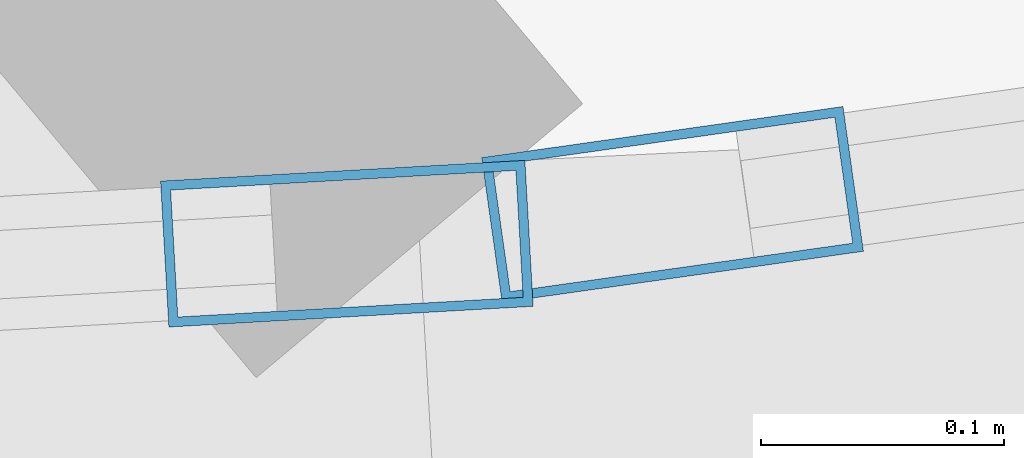
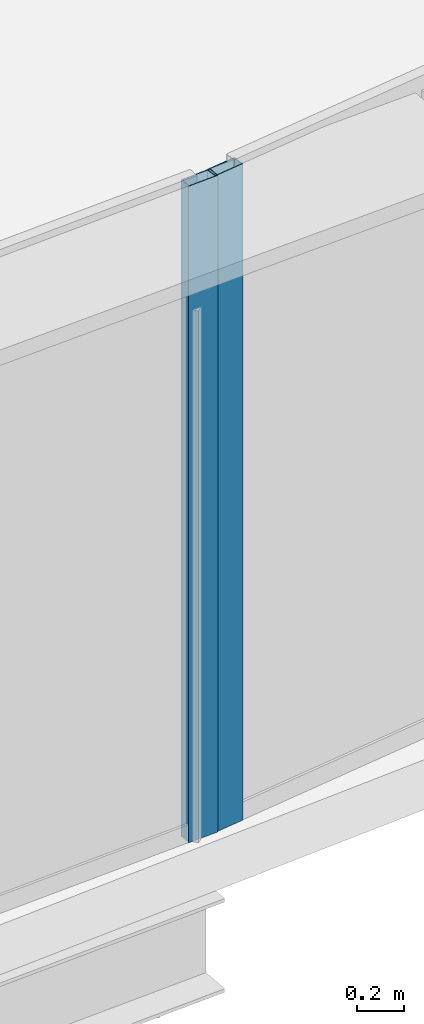
# One storey, part 14 of 42: 2 members, 2 elements without a shape of their own.
"""IFC4 building model written with IfcOpenShell, lengths in metres."""

from ifc_helpers import new_model, si_unit, direction, frame, origin, origin_2d, place, context, subcontext, project, spatial, hollow_rectangle, extrude, source, transform, mapped, material, layer, layer_set, material_profile, profile_set, type_object, element, aggregate, save


model = new_model("IFC4")

# Units and contexts
model_context = context("Model", 3, precision=1e-05, world=origin(), true_north=direction((0.0, 1.0)))
body_context = subcontext(model_context, "Body", "Model", "MODEL_VIEW")
ifc_project = project(units=[si_unit("LENGTHUNIT", "METRE"), si_unit("AREAUNIT", "SQUARE_METRE"), si_unit("VOLUMEUNIT", "CUBIC_METRE"), si_unit("PLANEANGLEUNIT", "RADIAN"), si_unit("MASSUNIT", "GRAM", prefix="KILO"), si_unit("THERMODYNAMICTEMPERATUREUNIT", "KELVIN"), si_unit("POWERUNIT", "WATT")], contexts=[model_context])

# Site, building, storey
site_placement = place(None, origin())
site = spatial("IfcSite", under=ifc_project, at=site_placement, CompositionType="ELEMENT")
building_placement = place(site_placement, origin())
building = spatial("IfcBuilding", under=site, at=building_placement, Name="Yunzhuo Pagoda Commons", CompositionType="ELEMENT")
storey_placement = place(building_placement, frame((0.0, 0.0, 137.18994140625)))
storey = spatial("IfcBuildingStorey", under=building, at=storey_placement, Name="L34", CompositionType="ELEMENT", Elevation=137.18994140625)

# Curtain wall, member
ifc_material = material(Name="Anodized aluminium 6063-T6", Category="aluminium")
ifc_layer = layer(ifc_material, 0.14990234375)
ifc_layer_set = layer_set([ifc_layer], Name="Anodized aluminium 6063-T6")
curtain_wall_type = type_object("IfcCurtainWallType", Name="CW-MID Mid-Zone Ribbon Curtain Wall", PredefinedType="NOTDEFINED", material=ifc_layer_set)
curtain_wall_1_placement = place(storey_placement, origin())
curtain_wall_1 = element("IfcCurtainWall", 1, at=curtain_wall_1_placement, inside=storey, type_object=curtain_wall_type, Name="L34 curtain wall CW-L34-F1B4", PredefinedType="NOTDEFINED")
ifc_material_profile = material_profile(ifc_material, hollow_rectangle(XDim=0.06005859375, YDim=0.14990234375, WallThickness=0.00390625, at=origin_2d()), Name="Anodized aluminium 6063-T6")
ifc_profile_set = profile_set([ifc_material_profile], Name="Anodized aluminium 6063-T6")
member_type = type_object("IfcMemberType", Name="CW-MID-M Mullion RHS 150x60x4", PredefinedType="MULLION", material=ifc_profile_set)
shared_shape = source(origin(), body_context, "Body", "SweptSolid", [
    extrude(hollow_rectangle(XDim=0.06005859375, YDim=0.14990234375, WallThickness=0.00390625, at=origin_2d()), origin(), (0.0, 0.0, 1.0), 3.420166015625),
])
member_1_placement = place(storey_placement, frame((64.868408203125, 13.56005859375, 0.0), z_axis=(0.0, 0.0, 1.0), x_axis=(-0.056741862165, 0.99838888269, 0.0)))
member_1 = element("IfcMember", 2, at=member_1_placement, type_object=member_type, Name="CW mullion 2", PredefinedType="MULLION", context=body_context, shape_type="MappedRepresentation", body=[
    mapped(shared_shape, transform((0.0, 0.0, 0.0), scale=1.0)),
])
aggregate(curtain_wall_1, [member_1])

curtain_wall_2_placement = place(storey_placement, origin())
curtain_wall_2 = element("IfcCurtainWall", 3, at=curtain_wall_2_placement, inside=storey, type_object=curtain_wall_type, Name="L34 curtain wall CW-L34-F1B5", PredefinedType="NOTDEFINED")
member_2_placement = place(storey_placement, frame((65.002197265625, 13.576171875, 0.0), z_axis=(0.0, 0.0, 1.0), x_axis=(-0.140026939768, 0.990147694104, 0.0)))
member_2 = element("IfcMember", 4, at=member_2_placement, type_object=member_type, Name="CW mullion 1", PredefinedType="MULLION", context=body_context, shape_type="MappedRepresentation", body=[
    mapped(shared_shape, transform((0.0, 0.0, 0.0), scale=1.0)),
])
aggregate(curtain_wall_2, [member_2])

save(model, "model.ifc")
